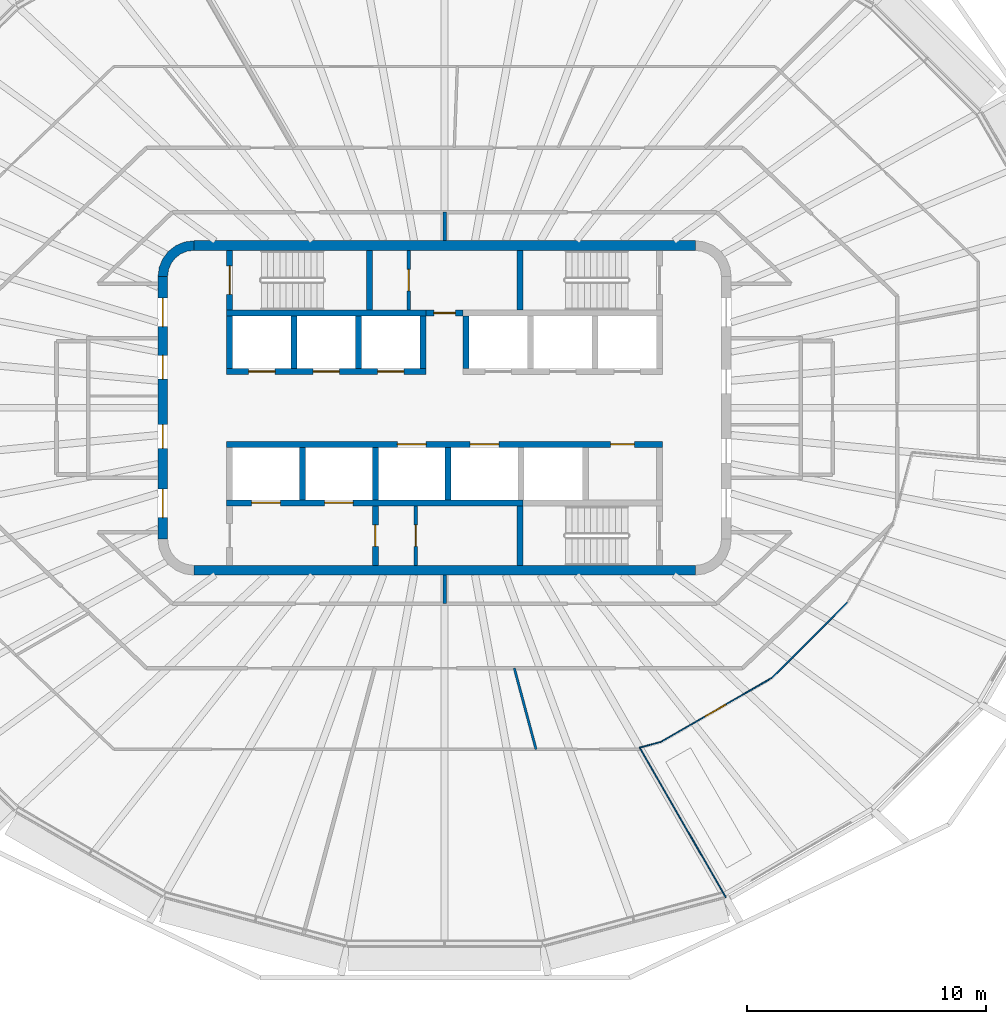
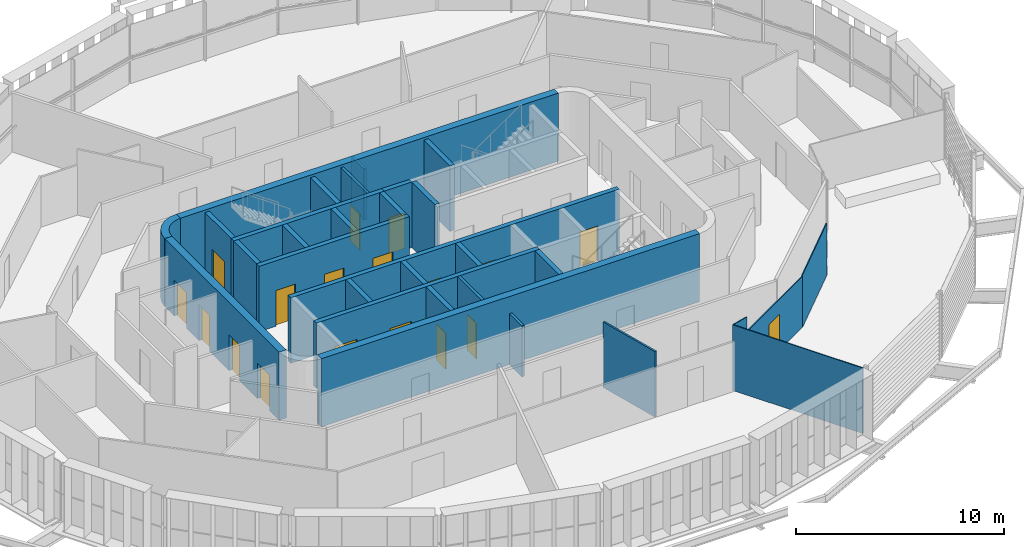
# One storey, part 11 of 21: 31 walls, 18 doors, 18 openings.
"""IFC4 building model written with IfcOpenShell, lengths in metres."""

from ifc_helpers import new_model, si_unit, direction, frame, frame_2d, origin, place, context, subcontext, project, spatial, polyline, rectangle, outline, extrude, material, layer, layer_set, type_object, element, fill, save


model = new_model("IFC4")

# Units and contexts
model_context = context("Model", 3, precision=1e-05, world=origin(), true_north=direction((0.0, 1.0)))
body_context = subcontext(model_context, "Body", "Model", "MODEL_VIEW")
ifc_project = project(units=[si_unit("LENGTHUNIT", "METRE"), si_unit("AREAUNIT", "SQUARE_METRE"), si_unit("VOLUMEUNIT", "CUBIC_METRE"), si_unit("PLANEANGLEUNIT", "RADIAN"), si_unit("MASSUNIT", "GRAM", prefix="KILO")], contexts=[model_context])

# Site, building, storey
site_placement = place(None, origin())
site = spatial("IfcSite", under=ifc_project, at=site_placement, CompositionType="ELEMENT")
building_placement = place(site_placement, origin())
building = spatial("IfcBuilding", under=site, at=building_placement, Name="Sahrelin Media Tower", CompositionType="ELEMENT")
storey_placement = place(building_placement, frame((0.0, 0.0, 304.39990234375)))
storey = spatial("IfcBuildingStorey", under=building, at=storey_placement, Name="L67", CompositionType="ELEMENT", Elevation=304.39990234375)

# Walls
ifc_material_1 = material(Name="Concrete C60/75", Category="concrete")
ifc_layer_1 = layer(ifc_material_1, 0.39990234375)
ifc_layer_set_1 = layer_set([ifc_layer_1], Name="Core wall 400")
wall_type_1 = type_object("IfcWallType", Name="Core wall 400", PredefinedType="SHEAR", material=ifc_layer_set_1)
for number, where, z_axis, x_axis, name in (
    (1, (-10.5, 6.800048828125, 0.0), (0.0, 0.0, 1.0), (1.0, 0.0, 0.0), "Core wall N L67"),
    (2, (-10.5, -6.800048828125, 0.0), (0.0, 0.0, 1.0), (1.0, 0.0, 0.0), "Core wall S L67"),
):
    element("IfcWall", number, at=place(storey_placement, frame(where, z_axis=z_axis, x_axis=x_axis)), inside=storey, type_object=wall_type_1, Name=name, PredefinedType="SHEAR", context=body_context, shape_type="SweptSolid", body=[
        extrude(rectangle(XDim=21.0, YDim=0.39990234375, at=frame_2d((10.5, 0.0))), origin(), (0.0, 0.0, 1.0), 4.0),
    ])

# Wall, openings, doors
wall_1_placement = place(storey_placement, frame((-11.800048828125, -5.5, 0.0), z_axis=(0.0, 0.0, 1.0), x_axis=(0.0, 1.0, 0.0)))
wall_1 = element("IfcWall", 3, at=wall_1_placement, inside=storey, type_object=wall_type_1, Name="Core wall W L67", PredefinedType="SHEAR", context=body_context, shape_type="SweptSolid", body=[
    extrude(rectangle(XDim=11.0, YDim=0.39990234375, at=frame_2d((5.5, 0.0))), origin(), (0.0, 0.0, 1.0), 4.0),
])
opening_1_placement = place(wall_1_placement, frame((3.800048828125, 0.0, 0.0)))
opening_1 = element("IfcOpeningElement", 4, at=opening_1_placement, cuts=wall_1, Name="Opening L67-D10", PredefinedType="OPENING", context=body_context, shape_type="SweptSolid", body=[
    extrude(rectangle(XDim=1.0, YDim=2.10009765625, at=frame_2d((0.5, 1.050048828125))), frame((0.0, 0.199951171875, 0.0), z_axis=(0.0, -1.0, 0.0), x_axis=(1.0, 0.0, 0.0)), (0.0, 0.0, 1.0), 0.39990234375),
])
opening_2_placement = place(wall_1_placement, frame((6.699951171875, 0.0, 0.0)))
opening_2 = element("IfcOpeningElement", 5, at=opening_2_placement, cuts=wall_1, Name="Opening L67-D11", PredefinedType="OPENING", context=body_context, shape_type="SweptSolid", body=[
    extrude(rectangle(XDim=1.0, YDim=2.10009765625, at=frame_2d((0.5, 1.050048828125))), frame((0.0, 0.199951171875, 0.0), z_axis=(0.0, -1.0, 0.0), x_axis=(1.0, 0.0, 0.0)), (0.0, 0.0, 1.0), 0.39990234375),
])
opening_3_placement = place(wall_1_placement, frame((0.89990234375, 0.0, 0.0)))
opening_3 = element("IfcOpeningElement", 6, at=opening_3_placement, cuts=wall_1, Name="Opening L67-D14", PredefinedType="OPENING", context=body_context, shape_type="SweptSolid", body=[
    extrude(rectangle(XDim=1.199951171875, YDim=2.10009765625, at=frame_2d((0.60009765625, 1.050048828125))), frame((0.0, 0.199951171875, 0.0), z_axis=(0.0, -1.0, 0.0), x_axis=(1.0, 0.0, 0.0)), (0.0, 0.0, 1.0), 0.39990234375),
])
opening_4_placement = place(wall_1_placement, frame((8.89990234375, 0.0, 0.0)))
opening_4 = element("IfcOpeningElement", 7, at=opening_4_placement, cuts=wall_1, Name="Opening L67-D15", PredefinedType="OPENING", context=body_context, shape_type="SweptSolid", body=[
    extrude(rectangle(XDim=1.199951171875, YDim=2.10009765625, at=frame_2d((0.60009765625, 1.050048828125))), frame((0.0, 0.199951171875, 0.0), z_axis=(0.0, -1.0, 0.0), x_axis=(1.0, 0.0, 0.0)), (0.0, 0.0, 1.0), 0.39990234375),
])
ifc_material_2 = material(Name="Steel fire door leaf", Category="steel")
door_type_1 = type_object("IfcDoorType", Name="Fire door 1000 x 2100 EI 60", OperationType="NOTDEFINED", PredefinedType="DOOR", material=ifc_material_2)
door_1_placement = place(opening_1_placement, origin())
door_1 = element("IfcDoor", 8, at=door_1_placement, inside=storey, type_object=door_type_1, Name="Core room door", OperationType="SINGLE_SWING_RIGHT", OverallHeight=2.10009765625, OverallWidth=1.0, PredefinedType="DOOR", context=body_context, shape_type="SweptSolid", body=[
    extrude(rectangle(XDim=1.0, YDim=2.10009765625, at=frame_2d((0.5, 1.050048828125))), frame((0.0, 0.02490234375, 0.0), z_axis=(0.0, -1.0, 0.0), x_axis=(1.0, 0.0, 0.0)), (0.0, 0.0, 1.0), 0.050048828125),
])
fill(opening_1, door_1)
door_2_placement = place(opening_2_placement, origin())
door_2 = element("IfcDoor", 9, at=door_2_placement, inside=storey, type_object=door_type_1, Name="Core room door", OperationType="SINGLE_SWING_RIGHT", OverallHeight=2.10009765625, OverallWidth=1.0, PredefinedType="DOOR", context=body_context, shape_type="SweptSolid", body=[
    extrude(rectangle(XDim=1.0, YDim=2.10009765625, at=frame_2d((0.5, 1.050048828125))), frame((0.0, 0.02490234375, 0.0), z_axis=(0.0, -1.0, 0.0), x_axis=(1.0, 0.0, 0.0)), (0.0, 0.0, 1.0), 0.050048828125),
])
fill(opening_2, door_2)
door_type_2 = type_object("IfcDoorType", Name="Lobby door 1200 x 2100 EI 60", OperationType="NOTDEFINED", PredefinedType="DOOR", material=ifc_material_2)
door_3_placement = place(opening_3_placement, origin())
door_3 = element("IfcDoor", 10, at=door_3_placement, inside=storey, type_object=door_type_2, Name="Lobby door", OperationType="SINGLE_SWING_LEFT", OverallHeight=2.10009765625, OverallWidth=1.199951171875, PredefinedType="DOOR", context=body_context, shape_type="SweptSolid", body=[
    extrude(rectangle(XDim=1.199951171875, YDim=2.10009765625, at=frame_2d((0.60009765625, 1.050048828125))), frame((0.0, 0.02490234375, 0.0), z_axis=(0.0, -1.0, 0.0), x_axis=(1.0, 0.0, 0.0)), (0.0, 0.0, 1.0), 0.050048828125),
])
fill(opening_3, door_3)
door_4_placement = place(opening_4_placement, origin())
door_4 = element("IfcDoor", 11, at=door_4_placement, inside=storey, type_object=door_type_2, Name="Lobby door", OperationType="SINGLE_SWING_LEFT", OverallHeight=2.10009765625, OverallWidth=1.199951171875, PredefinedType="DOOR", context=body_context, shape_type="SweptSolid", body=[
    extrude(rectangle(XDim=1.199951171875, YDim=2.10009765625, at=frame_2d((0.60009765625, 1.050048828125))), frame((0.0, 0.02490234375, 0.0), z_axis=(0.0, -1.0, 0.0), x_axis=(1.0, 0.0, 0.0)), (0.0, 0.0, 1.0), 0.050048828125),
])
fill(opening_4, door_4)

# Wall
wall_2_placement = place(storey_placement, origin())
element("IfcWall", 12, at=wall_2_placement, inside=storey, type_object=wall_type_1, Name="Core wall corner NW L67", PredefinedType="SHEAR", context=body_context, shape_type="SweptSolid", body=[
    extrude(outline(polyline([(-12.0, 5.5), (-11.596435546875, 5.5), (-11.55908203125, 5.78369140625), (-11.44970703125, 6.04833984375), (-11.275390625, 6.275390625), (-11.04833984375, 6.44970703125), (-10.78369140625, 6.55908203125), (-10.5, 6.596435546875), (-10.5, 7.0), (-10.88818359375, 6.948974609375), (-11.25, 6.799072265625), (-11.560791015625, 6.560791015625), (-11.799072265625, 6.25), (-11.948974609375, 5.88818359375), (-12.0, 5.5)])), origin(), (0.0, 0.0, 1.0), 4.0),
])

# Wall, opening, door
ifc_material_3 = material(Name="Fire-rated gypsum board partition")
ifc_layer_2 = layer(ifc_material_3, 0.25)
ifc_layer_set_2 = layer_set([ifc_layer_2], Name="Fire-rated lobby wall 250")
wall_type_2 = type_object("IfcWallType", Name="Fire-rated lobby wall 250", PredefinedType="PARTITIONING", material=ifc_layer_set_2)
wall_3_placement = place(storey_placement, frame((-0.77490234375, 3.97509765625, 0.0), z_axis=(0.0, 0.0, 1.0), x_axis=(1.0, 0.0, 0.0)))
wall_3 = element("IfcWall", 13, at=wall_3_placement, inside=storey, type_object=wall_type_2, Name="Core lobby wall", PredefinedType="PARTITIONING", context=body_context, shape_type="SweptSolid", body=[
    extrude(rectangle(XDim=1.5498046875, YDim=0.25, at=frame_2d((0.77490234375, 0.0))), origin(), (0.0, 0.0, 1.0), 3.85009765625),
])
opening_5_placement = place(wall_3_placement, frame((0.324951171875, 0.0, 0.0)))
opening_5 = element("IfcOpeningElement", 14, at=opening_5_placement, cuts=wall_3, Name="Opening L67-D06", PredefinedType="OPENING", context=body_context, shape_type="SweptSolid", body=[
    extrude(rectangle(XDim=0.89990234375, YDim=2.10009765625, at=frame_2d((0.449951171875, 1.050048828125))), frame((0.0, 0.125, 0.0), z_axis=(0.0, -1.0, 0.0), x_axis=(1.0, 0.0, 0.0)), (0.0, 0.0, 1.0), 0.25),
])
door_type_3 = type_object("IfcDoorType", Name="Riser door 900 x 2100 EI 120", OperationType="NOTDEFINED", PredefinedType="DOOR", material=ifc_material_2)
door_5_placement = place(opening_5_placement, origin())
door_5 = element("IfcDoor", 15, at=door_5_placement, inside=storey, type_object=door_type_3, Name="Core room door", OperationType="SINGLE_SWING_LEFT", OverallHeight=2.10009765625, OverallWidth=0.89990234375, PredefinedType="DOOR", context=body_context, shape_type="SweptSolid", body=[
    extrude(rectangle(XDim=0.89990234375, YDim=2.10009765625, at=frame_2d((0.449951171875, 1.050048828125))), frame((0.0, 0.02490234375, 0.0), z_axis=(0.0, -1.0, 0.0), x_axis=(1.0, 0.0, 0.0)), (0.0, 0.0, 1.0), 0.050048828125),
])
fill(opening_5, door_5)

ifc_layer_3 = layer(ifc_material_3, 0.14990234375)
ifc_layer_set_3 = layer_set([ifc_layer_3], Name="Fire-rated partition 150")
wall_type_3 = type_object("IfcWallType", Name="Fire-rated partition 150", PredefinedType="PARTITIONING", material=ifc_layer_set_3)
wall_4_placement = place(storey_placement, frame((-1.5, 4.10009765625, 0.0), z_axis=(0.0, 0.0, 1.0), x_axis=(0.0, 1.0, 0.0)))
wall_4 = element("IfcWall", 16, at=wall_4_placement, inside=storey, type_object=wall_type_3, Name="Core room fire partition", PredefinedType="PARTITIONING", context=body_context, shape_type="SweptSolid", body=[
    extrude(rectangle(XDim=2.5, YDim=0.14990234375, at=frame_2d((1.25, 0.0))), origin(), (0.0, 0.0, 1.0), 3.85009765625),
])
opening_6_placement = place(wall_4_placement, frame((0.800048828125, 0.0, 0.0)))
opening_6 = element("IfcOpeningElement", 17, at=opening_6_placement, cuts=wall_4, Name="Opening L67-D07", PredefinedType="OPENING", context=body_context, shape_type="SweptSolid", body=[
    extrude(rectangle(XDim=0.89990234375, YDim=2.10009765625, at=frame_2d((0.449951171875, 1.050048828125))), frame((0.0, 0.074951171875, 0.0), z_axis=(0.0, -1.0, 0.0), x_axis=(1.0, 0.0, 0.0)), (0.0, 0.0, 1.0), 0.14990234375),
])
door_type_4 = type_object("IfcDoorType", Name="Fire door 900 x 2100 EI 60", OperationType="NOTDEFINED", PredefinedType="DOOR", material=ifc_material_2)
door_6_placement = place(opening_6_placement, origin())
door_6 = element("IfcDoor", 18, at=door_6_placement, inside=storey, type_object=door_type_4, Name="Core room door", OperationType="SINGLE_SWING_LEFT", OverallHeight=2.10009765625, OverallWidth=0.89990234375, PredefinedType="DOOR", context=body_context, shape_type="SweptSolid", body=[
    extrude(rectangle(XDim=0.89990234375, YDim=2.10009765625, at=frame_2d((0.449951171875, 1.050048828125))), frame((0.0, 0.02490234375, 0.0), z_axis=(0.0, -1.0, 0.0), x_axis=(1.0, 0.0, 0.0)), (0.0, 0.0, 1.0), 0.050048828125),
])
fill(opening_6, door_6)

wall_5_placement = place(storey_placement, frame((-1.199951171875, -6.60009765625, 0.0), z_axis=(0.0, 0.0, 1.0), x_axis=(0.0, 1.0, 0.0)))
wall_5 = element("IfcWall", 19, at=wall_5_placement, inside=storey, type_object=wall_type_3, Name="Core room fire partition", PredefinedType="PARTITIONING", context=body_context, shape_type="SweptSolid", body=[
    extrude(rectangle(XDim=2.5, YDim=0.14990234375, at=frame_2d((1.25, 0.0))), origin(), (0.0, 0.0, 1.0), 3.85009765625),
])
opening_7_placement = place(wall_5_placement, frame((0.800048828125, 0.0, 0.0)))
opening_7 = element("IfcOpeningElement", 20, at=opening_7_placement, cuts=wall_5, Name="Opening L67-D08", PredefinedType="OPENING", context=body_context, shape_type="SweptSolid", body=[
    extrude(rectangle(XDim=0.89990234375, YDim=2.10009765625, at=frame_2d((0.449951171875, 1.050048828125))), frame((0.0, 0.074951171875, 0.0), z_axis=(0.0, -1.0, 0.0), x_axis=(1.0, 0.0, 0.0)), (0.0, 0.0, 1.0), 0.14990234375),
])
door_7_placement = place(opening_7_placement, origin())
door_7 = element("IfcDoor", 21, at=door_7_placement, inside=storey, type_object=door_type_4, Name="Core room door", OperationType="SINGLE_SWING_RIGHT", OverallHeight=2.10009765625, OverallWidth=0.89990234375, PredefinedType="DOOR", context=body_context, shape_type="SweptSolid", body=[
    extrude(rectangle(XDim=0.89990234375, YDim=2.10009765625, at=frame_2d((0.449951171875, 1.050048828125))), frame((0.0, 0.02490234375, 0.0), z_axis=(0.0, -1.0, 0.0), x_axis=(1.0, 0.0, 0.0)), (0.0, 0.0, 1.0), 0.050048828125),
])
fill(opening_7, door_7)

# Walls
for number, where, z_axis, x_axis, name in (
    (22, (0.0, -8.198974609375, 0.0), (0.0, 0.0, 1.0), (0.0, 1.0, 0.0), "Wall"),
    (23, (0.0, 7.0, 0.0), (0.0, 0.0, 1.0), (0.0, 1.0, 0.0), "Wall"),
):
    element("IfcWall", number, at=place(storey_placement, frame(where, z_axis=z_axis, x_axis=x_axis)), inside=storey, type_object=wall_type_3, Name=name, PredefinedType="PARTITIONING", context=body_context, shape_type="SweptSolid", body=[
        extrude(rectangle(XDim=1.198974609375, YDim=0.14990234375, at=frame_2d((0.599609375, 0.0))), origin(), (0.0, 0.0, 1.0), 2.995361328125),
    ])

# Wall, opening, door
ifc_layer_4 = layer(ifc_material_3, 0.25)
ifc_layer_set_4 = layer_set([ifc_layer_4], Name="Firefighting lobby wall 250")
wall_type_4 = type_object("IfcWallType", Name="Firefighting lobby wall 250", PredefinedType="PARTITIONING", material=ifc_layer_set_4)
wall_6_placement = place(storey_placement, frame((-2.89990234375, -6.60009765625, 0.0), z_axis=(0.0, 0.0, 1.0), x_axis=(0.0, 1.0, 0.0)))
wall_6 = element("IfcWall", 24, at=wall_6_placement, inside=storey, type_object=wall_type_4, Name="Core wall", PredefinedType="PARTITIONING", context=body_context, shape_type="SweptSolid", body=[
    extrude(rectangle(XDim=2.5, YDim=0.25, at=frame_2d((1.25, 0.0))), origin(), (0.0, 0.0, 1.0), 3.85009765625),
])
opening_8_placement = place(wall_6_placement, frame((0.800048828125, 0.0, 0.0)))
opening_8 = element("IfcOpeningElement", 25, at=opening_8_placement, cuts=wall_6, Name="Opening L67-D05", PredefinedType="OPENING", context=body_context, shape_type="SweptSolid", body=[
    extrude(rectangle(XDim=0.89990234375, YDim=2.10009765625, at=frame_2d((0.449951171875, 1.050048828125))), frame((0.0, 0.125, 0.0), z_axis=(0.0, -1.0, 0.0), x_axis=(1.0, 0.0, 0.0)), (0.0, 0.0, 1.0), 0.25),
])
door_type_5 = type_object("IfcDoorType", Name="Firefighting lobby door 900 x 2100 EI 120", OperationType="NOTDEFINED", PredefinedType="DOOR", material=ifc_material_2)
door_8_placement = place(opening_8_placement, origin())
door_8 = element("IfcDoor", 26, at=door_8_placement, inside=storey, type_object=door_type_5, Name="Riser door", OperationType="SINGLE_SWING_RIGHT", OverallHeight=2.10009765625, OverallWidth=0.89990234375, PredefinedType="DOOR", context=body_context, shape_type="SweptSolid", body=[
    extrude(rectangle(XDim=0.89990234375, YDim=2.10009765625, at=frame_2d((0.449951171875, 1.050048828125))), frame((0.0, 0.02490234375, 0.0), z_axis=(0.0, -1.0, 0.0), x_axis=(1.0, 0.0, 0.0)), (0.0, 0.0, 1.0), 0.050048828125),
])
fill(opening_8, door_8)

# Walls
ifc_material_4 = material(Name="Clear glass", Category="glass")
ifc_layer_5 = layer(ifc_material_4, 0.050048828125)
ifc_layer_set_5 = layer_set([ifc_layer_5], Name="Glazed partition 50")
wall_type_5 = type_object("IfcWallType", Name="Glazed partition 50", PredefinedType="PARTITIONING", material=ifc_layer_set_5)
wall_7_placement = place(storey_placement, frame((8.168212890625, -14.227783203125, 0.0), z_axis=(0.0, 0.0, 1.0), x_axis=(0.49889922878, -0.866660002263, 0.0)))
element("IfcWall", 27, at=wall_7_placement, inside=storey, type_object=wall_type_5, Name="Wall", PredefinedType="PARTITIONING", context=body_context, shape_type="SweptSolid", body=[
    extrude(rectangle(XDim=7.241943359375, YDim=0.050048828125, at=frame_2d((3.62109375, 0.0))), origin(), (0.0, 0.0, 1.0), 3.85009765625),
])
wall_8_placement = place(storey_placement, frame((8.16796875, -14.22802734375, 0.0), z_axis=(0.0, 0.0, 1.0), x_axis=(0.965935230581, 0.258783945257, 0.0)))
element("IfcWall", 28, at=wall_8_placement, inside=storey, type_object=wall_type_5, Name="Wall", PredefinedType="PARTITIONING", context=body_context, shape_type="SweptSolid", body=[
    extrude(rectangle(XDim=0.934814453125, YDim=0.050048828125, at=frame_2d((0.46728515625, 0.0))), origin(), (0.0, 0.0, 1.0), 3.85009765625),
])

# Wall, opening, door
wall_9_placement = place(storey_placement, frame((9.071044921875, -13.986083984375, 0.0), z_axis=(0.0, 0.0, 1.0), x_axis=(0.866010600352, 0.50002563942, 0.0)))
wall_9 = element("IfcWall", 29, at=wall_9_placement, inside=storey, type_object=wall_type_5, Name="Wall", PredefinedType="PARTITIONING", context=body_context, shape_type="SweptSolid", body=[
    extrude(rectangle(XDim=5.343994140625, YDim=0.050048828125, at=frame_2d((2.671875, 0.0))), origin(), (0.0, 0.0, 1.0), 2.995361328125),
])
opening_9_placement = place(wall_9_placement, frame((2.121337890625, 0.0, 0.0)))
opening_9 = element("IfcOpeningElement", 30, at=opening_9_placement, cuts=wall_9, Name="Opening L67-D41", PredefinedType="OPENING", context=body_context, shape_type="SweptSolid", body=[
    extrude(rectangle(XDim=1.0, YDim=2.10009765625, at=frame_2d((0.5, 1.050048828125))), frame((0.0, 0.02490234375, 0.0), z_axis=(0.0, -1.0, 0.0), x_axis=(1.0, 0.0, 0.0)), (0.0, 0.0, 1.0), 0.050048828125),
])
door_type_6 = type_object("IfcDoorType", Name="Glazed door 1000 x 2100", OperationType="NOTDEFINED", PredefinedType="DOOR", material=ifc_material_4)
door_9_placement = place(opening_9_placement, origin())
door_9 = element("IfcDoor", 31, at=door_9_placement, inside=storey, type_object=door_type_6, Name="Glazed door", OperationType="SINGLE_SWING_LEFT", OverallHeight=2.10009765625, OverallWidth=1.0, PredefinedType="DOOR", context=body_context, shape_type="SweptSolid", body=[
    extrude(rectangle(XDim=1.0, YDim=2.10009765625, at=frame_2d((0.5, 1.050048828125))), frame((0.0, 0.02490234375, 0.0), z_axis=(0.0, -1.0, 0.0), x_axis=(1.0, 0.0, 0.0)), (0.0, 0.0, 1.0), 0.049560546875),
])
fill(opening_9, door_9)

# Wall
wall_10_placement = place(storey_placement, frame((13.698974609375, -11.31396484375, 0.0), z_axis=(0.0, 0.0, 1.0), x_axis=(0.707106781187, 0.707106781187, 0.0)))
element("IfcWall", 32, at=wall_10_placement, inside=storey, type_object=wall_type_5, Name="Wall", PredefinedType="PARTITIONING", context=body_context, shape_type="SweptSolid", body=[
    extrude(rectangle(XDim=4.494384765625, YDim=0.050048828125, at=frame_2d((2.2470703125, 0.0))), origin(), (0.0, 0.0, 1.0), 3.076171875),
])

# Wall, openings, doors
ifc_layer_6 = layer(ifc_material_1, 0.25)
ifc_layer_set_6 = layer_set([ifc_layer_6], Name="Lift shaft wall 250")
wall_type_6 = type_object("IfcWallType", Name="Lift shaft wall 250", PredefinedType="SOLIDWALL", material=ifc_layer_set_6)
wall_11_placement = place(storey_placement, frame((-9.125, 1.52490234375, 0.0), z_axis=(0.0, 0.0, 1.0), x_axis=(1.0, 0.0, 0.0)))
wall_11 = element("IfcWall", 33, at=wall_11_placement, inside=storey, type_object=wall_type_6, Name="Lift shaft wall", PredefinedType="SOLIDWALL", context=body_context, shape_type="SweptSolid", body=[
    extrude(rectangle(XDim=8.35009765625, YDim=0.25, at=frame_2d((4.175048828125, 0.0))), origin(), (0.0, 0.0, 1.0), 3.85009765625),
])
opening_10_placement = place(wall_11_placement, frame((0.925048828125, 0.0, 0.0)))
opening_10 = element("IfcOpeningElement", 34, at=opening_10_placement, cuts=wall_11, Name="Opening L67-LD-HR1", PredefinedType="OPENING", context=body_context, shape_type="SweptSolid", body=[
    extrude(rectangle(XDim=1.10009765625, YDim=2.10009765625, at=frame_2d((0.550048828125, 1.050048828125))), frame((0.0, 0.125, 0.0), z_axis=(0.0, -1.0, 0.0), x_axis=(1.0, 0.0, 0.0)), (0.0, 0.0, 1.0), 0.25),
])
opening_11_placement = place(wall_11_placement, frame((3.625, 0.0, 0.0)))
opening_11 = element("IfcOpeningElement", 35, at=opening_11_placement, cuts=wall_11, Name="Opening L67-LD-HR2", PredefinedType="OPENING", context=body_context, shape_type="SweptSolid", body=[
    extrude(rectangle(XDim=1.10009765625, YDim=2.10009765625, at=frame_2d((0.550048828125, 1.050048828125))), frame((0.0, 0.125, 0.0), z_axis=(0.0, -1.0, 0.0), x_axis=(1.0, 0.0, 0.0)), (0.0, 0.0, 1.0), 0.25),
])
opening_12_placement = place(wall_11_placement, frame((6.324951171875, 0.0, 0.0)))
opening_12 = element("IfcOpeningElement", 36, at=opening_12_placement, cuts=wall_11, Name="Opening L67-LD-HR3", PredefinedType="OPENING", context=body_context, shape_type="SweptSolid", body=[
    extrude(rectangle(XDim=1.10009765625, YDim=2.10009765625, at=frame_2d((0.550048828125, 1.050048828125))), frame((0.0, 0.125, 0.0), z_axis=(0.0, -1.0, 0.0), x_axis=(1.0, 0.0, 0.0)), (0.0, 0.0, 1.0), 0.25),
])
ifc_material_5 = material(Name="Stainless steel", Category="steel")
door_type_7 = type_object("IfcDoorType", Name="Lift landing door 1100 x 2100 EI 120", OperationType="DOUBLE_DOOR_SLIDING", PredefinedType="DOOR", material=ifc_material_5)
door_10_placement = place(opening_10_placement, origin())
door_10 = element("IfcDoor", 37, at=door_10_placement, inside=storey, type_object=door_type_7, Name="Lift landing door HR1", OperationType="DOUBLE_DOOR_SLIDING", OverallHeight=2.10009765625, OverallWidth=1.10009765625, PredefinedType="DOOR", context=body_context, shape_type="SweptSolid", body=[
    extrude(rectangle(XDim=1.10009765625, YDim=2.10009765625, at=frame_2d((0.550048828125, 1.050048828125))), frame((0.0, 0.02490234375, 0.0), z_axis=(0.0, -1.0, 0.0), x_axis=(1.0, 0.0, 0.0)), (0.0, 0.0, 1.0), 0.050048828125),
])
fill(opening_10, door_10)
door_11_placement = place(opening_11_placement, origin())
door_11 = element("IfcDoor", 38, at=door_11_placement, inside=storey, type_object=door_type_7, Name="Lift landing door HR2", OperationType="DOUBLE_DOOR_SLIDING", OverallHeight=2.10009765625, OverallWidth=1.10009765625, PredefinedType="DOOR", context=body_context, shape_type="SweptSolid", body=[
    extrude(rectangle(XDim=1.10009765625, YDim=2.10009765625, at=frame_2d((0.550048828125, 1.050048828125))), frame((0.0, 0.02490234375, 0.0), z_axis=(0.0, -1.0, 0.0), x_axis=(1.0, 0.0, 0.0)), (0.0, 0.0, 1.0), 0.050048828125),
])
fill(opening_11, door_11)
door_12_placement = place(opening_12_placement, origin())
door_12 = element("IfcDoor", 39, at=door_12_placement, inside=storey, type_object=door_type_7, Name="Lift landing door HR3", OperationType="DOUBLE_DOOR_SLIDING", OverallHeight=2.10009765625, OverallWidth=1.10009765625, PredefinedType="DOOR", context=body_context, shape_type="SweptSolid", body=[
    extrude(rectangle(XDim=1.10009765625, YDim=2.10009765625, at=frame_2d((0.550048828125, 1.050048828125))), frame((0.0, 0.02490234375, 0.0), z_axis=(0.0, -1.0, 0.0), x_axis=(1.0, 0.0, 0.0)), (0.0, 0.0, 1.0), 0.050048828125),
])
fill(opening_12, door_12)

# Walls
wall_12_placement = place(storey_placement, frame((-9.125, 3.97509765625, 0.0), z_axis=(0.0, 0.0, 1.0), x_axis=(1.0, 0.0, 0.0)))
element("IfcWall", 40, at=wall_12_placement, inside=storey, type_object=wall_type_6, Name="Lift shaft wall", PredefinedType="SOLIDWALL", context=body_context, shape_type="SweptSolid", body=[
    extrude(rectangle(XDim=8.35009765625, YDim=0.25, at=frame_2d((4.175048828125, 0.0))), origin(), (0.0, 0.0, 1.0), 3.85009765625),
])
for number, where, z_axis, x_axis, name in (
    (41, (-9.0, 1.64990234375, 0.0), (0.0, 0.0, 1.0), (0.0, 1.0, 0.0), "Lift shaft wall"),
    (42, (-6.300048828125, 1.64990234375, 0.0), (0.0, 0.0, 1.0), (0.0, 1.0, 0.0), "Lift shaft wall"),
    (43, (-3.60009765625, 1.64990234375, 0.0), (0.0, 0.0, 1.0), (0.0, 1.0, 0.0), "Lift shaft wall"),
    (44, (-0.89990234375, 1.64990234375, 0.0), (0.0, 0.0, 1.0), (0.0, 1.0, 0.0), "Lift shaft wall"),
    (45, (0.89990234375, 1.64990234375, 0.0), (0.0, 0.0, 1.0), (0.0, 1.0, 0.0), "Lift shaft wall"),
):
    element("IfcWall", number, at=place(storey_placement, frame(where, z_axis=z_axis, x_axis=x_axis)), inside=storey, type_object=wall_type_6, Name=name, PredefinedType="SOLIDWALL", context=body_context, shape_type="SweptSolid", body=[
        extrude(rectangle(XDim=2.2001953125, YDim=0.25, at=frame_2d((1.10009765625, 0.0))), origin(), (0.0, 0.0, 1.0), 3.85009765625),
    ])

# Wall, openings, doors
wall_13_placement = place(storey_placement, frame((-9.125, -1.52490234375, 0.0), z_axis=(0.0, 0.0, 1.0), x_axis=(1.0, 0.0, 0.0)))
wall_13 = element("IfcWall", 46, at=wall_13_placement, inside=storey, type_object=wall_type_6, Name="Lift shaft wall", PredefinedType="SOLIDWALL", context=body_context, shape_type="SweptSolid", body=[
    extrude(rectangle(XDim=18.25, YDim=0.25, at=frame_2d((9.125, 0.0))), origin(), (0.0, 0.0, 1.0), 3.85009765625),
])
opening_13_placement = place(wall_13_placement, frame((7.14990234375, 0.0, 0.0)))
opening_13 = element("IfcOpeningElement", 47, at=opening_13_placement, cuts=wall_13, Name="Opening L67-LD-SV1", PredefinedType="OPENING", context=body_context, shape_type="SweptSolid", body=[
    extrude(rectangle(XDim=1.199951171875, YDim=2.10009765625, at=frame_2d((0.60009765625, 1.050048828125))), frame((0.0, 0.125, 0.0), z_axis=(0.0, -1.0, 0.0), x_axis=(1.0, 0.0, 0.0)), (0.0, 0.0, 1.0), 0.25),
])
opening_14_placement = place(wall_13_placement, frame((10.199951171875, 0.0, 0.0)))
opening_14 = element("IfcOpeningElement", 48, at=opening_14_placement, cuts=wall_13, Name="Opening L67-LD-SV2", PredefinedType="OPENING", context=body_context, shape_type="SweptSolid", body=[
    extrude(rectangle(XDim=1.199951171875, YDim=2.10009765625, at=frame_2d((0.60009765625, 1.050048828125))), frame((0.0, 0.125, 0.0), z_axis=(0.0, -1.0, 0.0), x_axis=(1.0, 0.0, 0.0)), (0.0, 0.0, 1.0), 0.25),
])
opening_15_placement = place(wall_13_placement, frame((16.074951171875, 0.0, 0.0)))
opening_15 = element("IfcOpeningElement", 49, at=opening_15_placement, cuts=wall_13, Name="Opening L67-D09", PredefinedType="OPENING", context=body_context, shape_type="SweptSolid", body=[
    extrude(rectangle(XDim=1.0, YDim=2.10009765625, at=frame_2d((0.5, 1.050048828125))), frame((0.0, 0.125, 0.0), z_axis=(0.0, -1.0, 0.0), x_axis=(1.0, 0.0, 0.0)), (0.0, 0.0, 1.0), 0.25),
])
door_13_placement = place(opening_15_placement, origin())
door_13 = element("IfcDoor", 50, at=door_13_placement, inside=storey, type_object=door_type_1, Name="Core room door", OperationType="SINGLE_SWING_RIGHT", OverallHeight=2.10009765625, OverallWidth=1.0, PredefinedType="DOOR", context=body_context, shape_type="SweptSolid", body=[
    extrude(rectangle(XDim=1.0, YDim=2.10009765625, at=frame_2d((0.5, 1.050048828125))), frame((0.0, 0.02490234375, 0.0), z_axis=(0.0, -1.0, 0.0), x_axis=(1.0, 0.0, 0.0)), (0.0, 0.0, 1.0), 0.050048828125),
])
fill(opening_15, door_13)
door_type_8 = type_object("IfcDoorType", Name="Lift landing door 1200 x 2100 EI 120", OperationType="DOUBLE_DOOR_SLIDING", PredefinedType="DOOR", material=ifc_material_5)
door_14_placement = place(opening_13_placement, origin())
door_14 = element("IfcDoor", 51, at=door_14_placement, inside=storey, type_object=door_type_8, Name="Lift landing door SV1", OperationType="DOUBLE_DOOR_SLIDING", OverallHeight=2.10009765625, OverallWidth=1.199951171875, PredefinedType="DOOR", context=body_context, shape_type="SweptSolid", body=[
    extrude(rectangle(XDim=1.199951171875, YDim=2.10009765625, at=frame_2d((0.60009765625, 1.050048828125))), frame((0.0, 0.02490234375, 0.0), z_axis=(0.0, -1.0, 0.0), x_axis=(1.0, 0.0, 0.0)), (0.0, 0.0, 1.0), 0.050048828125),
])
fill(opening_13, door_14)
door_15_placement = place(opening_14_placement, origin())
door_15 = element("IfcDoor", 52, at=door_15_placement, inside=storey, type_object=door_type_8, Name="Lift landing door SV2", OperationType="DOUBLE_DOOR_SLIDING", OverallHeight=2.10009765625, OverallWidth=1.199951171875, PredefinedType="DOOR", context=body_context, shape_type="SweptSolid", body=[
    extrude(rectangle(XDim=1.199951171875, YDim=2.10009765625, at=frame_2d((0.60009765625, 1.050048828125))), frame((0.0, 0.02490234375, 0.0), z_axis=(0.0, -1.0, 0.0), x_axis=(1.0, 0.0, 0.0)), (0.0, 0.0, 1.0), 0.050048828125),
])
fill(opening_14, door_15)

wall_14_placement = place(storey_placement, frame((-9.125, -3.97509765625, 0.0), z_axis=(0.0, 0.0, 1.0), x_axis=(1.0, 0.0, 0.0)))
wall_14 = element("IfcWall", 53, at=wall_14_placement, inside=storey, type_object=wall_type_6, Name="Lift shaft wall", PredefinedType="SOLIDWALL", context=body_context, shape_type="SweptSolid", body=[
    extrude(rectangle(XDim=12.39990234375, YDim=0.25, at=frame_2d((6.199951171875, 0.0))), origin(), (0.0, 0.0, 1.0), 3.85009765625),
])
opening_16_placement = place(wall_14_placement, frame((1.050048828125, 0.0, 0.0)))
opening_16 = element("IfcOpeningElement", 54, at=opening_16_placement, cuts=wall_14, Name="Opening L67-LD-FF1", PredefinedType="OPENING", context=body_context, shape_type="SweptSolid", body=[
    extrude(rectangle(XDim=1.199951171875, YDim=2.10009765625, at=frame_2d((0.60009765625, 1.050048828125))), frame((0.0, 0.125, 0.0), z_axis=(0.0, -1.0, 0.0), x_axis=(1.0, 0.0, 0.0)), (0.0, 0.0, 1.0), 0.25),
])
opening_17_placement = place(wall_14_placement, frame((4.10009765625, 0.0, 0.0)))
opening_17 = element("IfcOpeningElement", 55, at=opening_17_placement, cuts=wall_14, Name="Opening L67-LD-FF2", PredefinedType="OPENING", context=body_context, shape_type="SweptSolid", body=[
    extrude(rectangle(XDim=1.199951171875, YDim=2.10009765625, at=frame_2d((0.60009765625, 1.050048828125))), frame((0.0, 0.125, 0.0), z_axis=(0.0, -1.0, 0.0), x_axis=(1.0, 0.0, 0.0)), (0.0, 0.0, 1.0), 0.25),
])
door_16_placement = place(opening_16_placement, origin())
door_16 = element("IfcDoor", 56, at=door_16_placement, inside=storey, type_object=door_type_8, Name="Lift landing door FF1", OperationType="DOUBLE_DOOR_SLIDING", OverallHeight=2.10009765625, OverallWidth=1.199951171875, PredefinedType="DOOR", context=body_context, shape_type="SweptSolid", body=[
    extrude(rectangle(XDim=1.199951171875, YDim=2.10009765625, at=frame_2d((0.60009765625, 1.050048828125))), frame((0.0, 0.02490234375, 0.0), z_axis=(0.0, -1.0, 0.0), x_axis=(1.0, 0.0, 0.0)), (0.0, 0.0, 1.0), 0.050048828125),
])
fill(opening_16, door_16)
door_17_placement = place(opening_17_placement, origin())
door_17 = element("IfcDoor", 57, at=door_17_placement, inside=storey, type_object=door_type_8, Name="Lift landing door FF2", OperationType="DOUBLE_DOOR_SLIDING", OverallHeight=2.10009765625, OverallWidth=1.199951171875, PredefinedType="DOOR", context=body_context, shape_type="SweptSolid", body=[
    extrude(rectangle(XDim=1.199951171875, YDim=2.10009765625, at=frame_2d((0.60009765625, 1.050048828125))), frame((0.0, 0.02490234375, 0.0), z_axis=(0.0, -1.0, 0.0), x_axis=(1.0, 0.0, 0.0)), (0.0, 0.0, 1.0), 0.050048828125),
])
fill(opening_17, door_17)

# Walls
for number, where, z_axis, x_axis, name in (
    (58, (-5.949951171875, -3.85009765625, 0.0), (0.0, 0.0, 1.0), (0.0, 1.0, 0.0), "Lift shaft wall"),
    (59, (-2.89990234375, -3.85009765625, 0.0), (0.0, 0.0, 1.0), (0.0, 1.0, 0.0), "Lift shaft wall"),
    (60, (0.14990234375, -3.85009765625, 0.0), (0.0, 0.0, 1.0), (0.0, 1.0, 0.0), "Lift shaft wall"),
):
    element("IfcWall", number, at=place(storey_placement, frame(where, z_axis=z_axis, x_axis=x_axis)), inside=storey, type_object=wall_type_6, Name=name, PredefinedType="SOLIDWALL", context=body_context, shape_type="SweptSolid", body=[
        extrude(rectangle(XDim=2.2001953125, YDim=0.25, at=frame_2d((1.10009765625, 0.0))), origin(), (0.0, 0.0, 1.0), 3.85009765625),
    ])
ifc_material_6 = material(Name="Gypsum board partition")
ifc_layer_7 = layer(ifc_material_6, 0.10009765625)
ifc_layer_set_7 = layer_set([ifc_layer_7], Name="Partition 100")
wall_type_7 = type_object("IfcWallType", Name="Partition 100", PredefinedType="PARTITIONING", material=ifc_layer_set_7)
wall_15_placement = place(storey_placement, frame((2.9208984375, -10.89892578125, 0.0), z_axis=(0.0, 0.0, 1.0), x_axis=(0.258836620112, -0.965921116908, 0.0)))
element("IfcWall", 61, at=wall_15_placement, inside=storey, type_object=wall_type_7, Name="Wall", PredefinedType="PARTITIONING", context=body_context, shape_type="SweptSolid", body=[
    extrude(rectangle(XDim=3.52001953125, YDim=0.10009765625, at=frame_2d((1.760009765625, 0.0))), origin(), (0.0, 0.0, 1.0), 3.85009765625),
])

# Wall, opening, door
ifc_layer_8 = layer(ifc_material_1, 0.25)
ifc_layer_set_8 = layer_set([ifc_layer_8], Name="Stair enclosure wall 250")
wall_type_8 = type_object("IfcWallType", Name="Stair enclosure wall 250", PredefinedType="SOLIDWALL", material=ifc_layer_set_8)
wall_16_placement = place(storey_placement, frame((-9.0, 4.10009765625, 0.0), z_axis=(0.0, 0.0, 1.0), x_axis=(0.0, 1.0, 0.0)))
wall_16 = element("IfcWall", 62, at=wall_16_placement, inside=storey, type_object=wall_type_8, Name="Stair enclosure wall", PredefinedType="SOLIDWALL", context=body_context, shape_type="SweptSolid", body=[
    extrude(rectangle(XDim=2.5, YDim=0.25, at=frame_2d((1.25, 0.0))), origin(), (0.0, 0.0, 1.0), 3.85009765625),
])
opening_18_placement = place(wall_16_placement, frame((0.64990234375, 0.0, 0.0)))
opening_18 = element("IfcOpeningElement", 63, at=opening_18_placement, cuts=wall_16, Name="Opening L67-D01", PredefinedType="OPENING", context=body_context, shape_type="SweptSolid", body=[
    extrude(rectangle(XDim=1.199951171875, YDim=2.10009765625, at=frame_2d((0.60009765625, 1.050048828125))), frame((0.0, 0.125, 0.0), z_axis=(0.0, -1.0, 0.0), x_axis=(1.0, 0.0, 0.0)), (0.0, 0.0, 1.0), 0.25),
])
door_type_9 = type_object("IfcDoorType", Name="Stair door 1200 x 2100 EI 120", OperationType="NOTDEFINED", PredefinedType="DOOR", material=ifc_material_2)
door_18_placement = place(opening_18_placement, origin())
door_18 = element("IfcDoor", 64, at=door_18_placement, inside=storey, type_object=door_type_9, Name="Stair door ST1", OperationType="SINGLE_SWING_RIGHT", OverallHeight=2.10009765625, OverallWidth=1.199951171875, PredefinedType="DOOR", context=body_context, shape_type="SweptSolid", body=[
    extrude(rectangle(XDim=1.199951171875, YDim=2.10009765625, at=frame_2d((0.60009765625, 1.050048828125))), frame((0.0, 0.02490234375, 0.0), z_axis=(0.0, -1.0, 0.0), x_axis=(1.0, 0.0, 0.0)), (0.0, 0.0, 1.0), 0.050048828125),
])
fill(opening_18, door_18)

# Walls
for number, where, z_axis, x_axis, name in (
    (65, (-3.14990234375, 4.10009765625, 0.0), (0.0, 0.0, 1.0), (0.0, 1.0, 0.0), "Stair enclosure wall"),
    (66, (3.14990234375, 4.10009765625, 0.0), (0.0, 0.0, 1.0), (0.0, 1.0, 0.0), "Stair enclosure wall"),
    (67, (3.14990234375, -6.60009765625, 0.0), (0.0, 0.0, 1.0), (0.0, 1.0, 0.0), "Stair enclosure wall"),
):
    element("IfcWall", number, at=place(storey_placement, frame(where, z_axis=z_axis, x_axis=x_axis)), inside=storey, type_object=wall_type_8, Name=name, PredefinedType="SOLIDWALL", context=body_context, shape_type="SweptSolid", body=[
        extrude(rectangle(XDim=2.5, YDim=0.25, at=frame_2d((1.25, 0.0))), origin(), (0.0, 0.0, 1.0), 3.85009765625),
    ])

save(model, "model.ifc")
